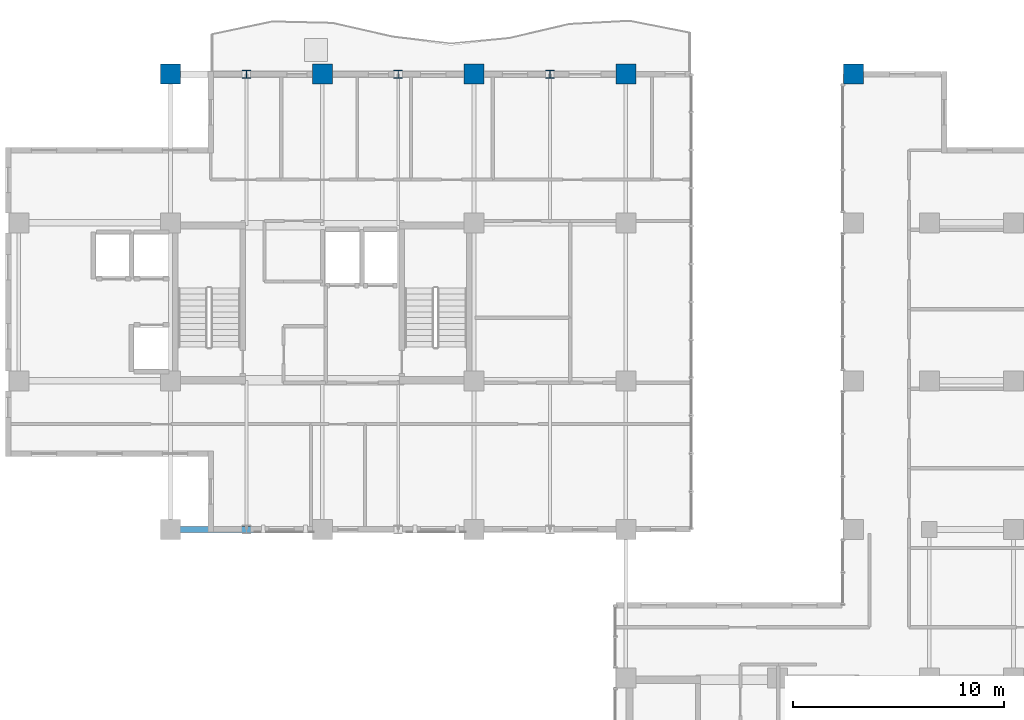
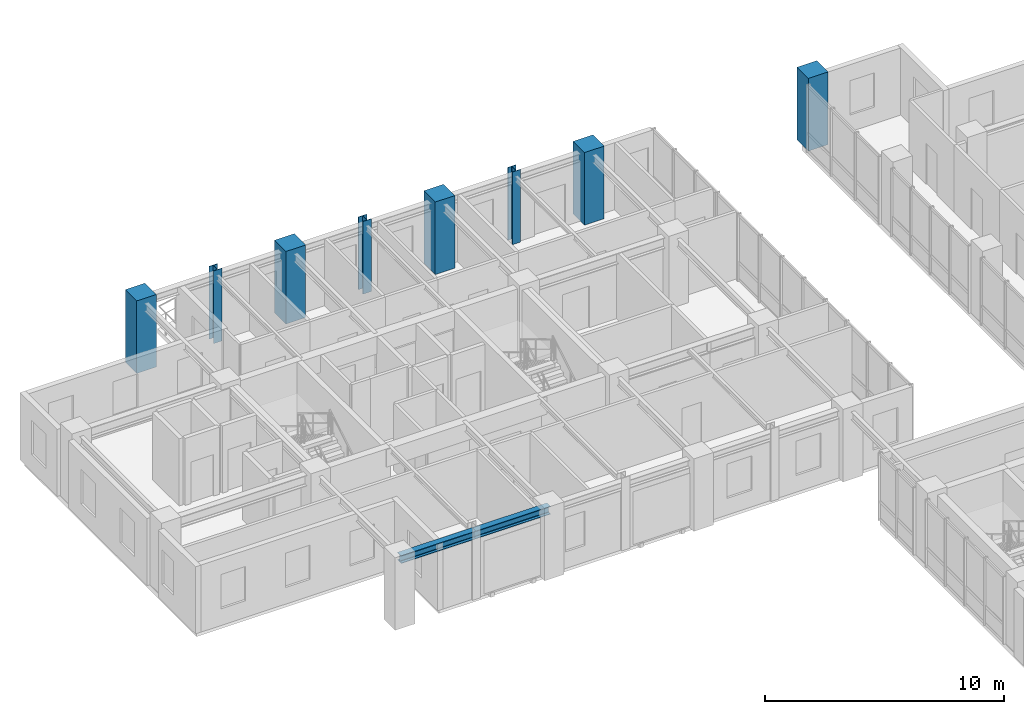
# One storey, part 3 of 24: 8 columns, 2 beams.
"""IFC4 building model written with IfcOpenShell, lengths in metres."""

from ifc_helpers import new_model, si_unit, direction, frame, origin, origin_2d, place, context, subcontext, project, spatial, rectangle, i_section, extrude, source, transform, mapped, material, material_profile, profile_set, type_object, element, save


model = new_model("IFC4")

# Units and contexts
model_context = context("Model", 3, precision=1e-05, world=origin(), true_north=direction((0.0, 1.0)))
body_context = subcontext(model_context, "Body", "Model", "MODEL_VIEW")
ifc_project = project(units=[si_unit("LENGTHUNIT", "METRE"), si_unit("AREAUNIT", "SQUARE_METRE"), si_unit("VOLUMEUNIT", "CUBIC_METRE"), si_unit("PLANEANGLEUNIT", "RADIAN"), si_unit("MASSUNIT", "GRAM", prefix="KILO")], contexts=[model_context])

# Site, building, storey
site_placement = place(None, origin())
site = spatial("IfcSite", under=ifc_project, at=site_placement, CompositionType="ELEMENT")
building_placement = place(site_placement, origin())
building = spatial("IfcBuilding", under=site, at=building_placement, Name="Kaliganga Portal Commons", CompositionType="ELEMENT")
storey_placement = place(building_placement, frame((0.0, 0.0, 242.5)))
storey = spatial("IfcBuildingStorey", under=building, at=storey_placement, Name="L62", CompositionType="ELEMENT", Elevation=242.5)

# Columns
ifc_material_1 = material(Name="Concrete C50/60", Category="concrete")
ifc_material_profile_1 = material_profile(ifc_material_1, rectangle(XDim=0.949951171875, YDim=0.949951171875, at=origin_2d()), Name="RC 950x950")
ifc_profile_set_1 = profile_set([ifc_material_profile_1], Name="Concrete C50/60")
column_type_1 = type_object("IfcColumnType", Name="COL-MEGA-Z4", PredefinedType="COLUMN", material=ifc_profile_set_1)
shared_shape_1 = source(origin(), body_context, "Body", "SweptSolid", [
    extrude(rectangle(XDim=0.949951171875, YDim=0.949951171875, at=origin_2d()), origin(), (0.0, 0.0, 1.0), 3.699951171875),
])
for number, where, z_axis, x_axis, name in (
    (1, (14.39990234375, 43.199951171875, 0.0), (0.0, 0.0, 1.0), (1.0, 0.0, 0.0), "Column MC-05 L62"),
    (2, (21.60009765625, 43.199951171875, 0.0), (0.0, 0.0, 1.0), (1.0, 0.0, 0.0), "Column MC-05 L62"),
    (3, (28.800048828125, 43.199951171875, 0.0), (0.0, 0.0, 1.0), (1.0, 0.0, 0.0), "Column MC-05 L62"),
    (4, (36.0, 43.199951171875, 0.0), (0.0, 0.0, 1.0), (1.0, 0.0, 0.0), "Column MC-05 L62"),
    (5, (46.800048828125, 43.199951171875, 0.0), (0.0, 0.0, 1.0), (1.0, 0.0, 0.0), "Column MC-05 L62"),
):
    element("IfcColumn", number, at=place(storey_placement, frame(where, z_axis=z_axis, x_axis=x_axis)), inside=storey, type_object=column_type_1, Name=name, PredefinedType="COLUMN", context=body_context, shape_type="MappedRepresentation", body=[
        mapped(shared_shape_1, transform((0.0, 0.0, 0.0), x_axis=(1.0, 0.0, 0.0), y_axis=(0.0, 1.0, 0.0), z_axis=(0.0, 0.0, 1.0), scale=1.0)),
    ])
ifc_material_2 = material(Name="Structural steel S355J2", Category="steel")
ifc_material_profile_2 = material_profile(ifc_material_2, i_section(OverallWidth=0.39892578125, OverallDepth=0.39990234375, WebThickness=0.017333984375, FlangeThickness=0.0234375, FilletRadius=0.014892578125, at=origin_2d()), Name="HD 400x287")
ifc_profile_set_2 = profile_set([ifc_material_profile_2], Name="Structural steel S355J2 wide-flange")
column_type_2 = type_object("IfcColumnType", Name="COL-TUBE-B4", PredefinedType="COLUMN", material=ifc_profile_set_2)
shared_shape_2 = source(origin(), body_context, "Body", "SweptSolid", [
    extrude(i_section(OverallWidth=0.39892578125, OverallDepth=0.39990234375, WebThickness=0.017333984375, FlangeThickness=0.0234375, FilletRadius=0.014892578125, at=origin_2d()), origin(), (0.0, 0.0, 1.0), 3.699951171875),
])
for number, where, z_axis, x_axis, name in (
    (6, (18.0, 43.199951171875, 0.0), (0.0, 0.0, 1.0), (1.0, 0.0, 0.0), "Column TC-04 L62"),
    (7, (25.199951171875, 43.199951171875, 0.0), (0.0, 0.0, 1.0), (1.0, 0.0, 0.0), "Column TC-04 L62"),
    (8, (32.39990234375, 43.199951171875, 0.0), (0.0, 0.0, 1.0), (1.0, 0.0, 0.0), "Column TC-04 L62"),
):
    element("IfcColumn", number, at=place(storey_placement, frame(where, z_axis=z_axis, x_axis=x_axis)), inside=storey, type_object=column_type_2, Name=name, PredefinedType="COLUMN", context=body_context, shape_type="MappedRepresentation", body=[
        mapped(shared_shape_2, transform((0.0, 0.0, 0.0), x_axis=(1.0, 0.0, 0.0), y_axis=(0.0, 1.0, 0.0), z_axis=(0.0, 0.0, 1.0), scale=1.0)),
    ])

# Beams
ifc_material_profile_3 = material_profile(ifc_material_2, i_section(OverallWidth=0.300048828125, OverallDepth=0.39990234375, WebThickness=0.013427734375, FlangeThickness=0.02392578125, FilletRadius=0.027099609375, at=origin_2d()), Name="HE 400 B")
ifc_profile_set_3 = profile_set([ifc_material_profile_3], Name="Structural steel S355J2 wide-flange")
beam_type = type_object("IfcBeamType", Name="BM-SPAND-400", PredefinedType="SPANDREL", material=ifc_profile_set_3)
shared_shape_3 = source(origin(), body_context, "Body", "SweptSolid", [
    extrude(i_section(OverallWidth=0.300048828125, OverallDepth=0.39990234375, WebThickness=0.013427734375, FlangeThickness=0.02392578125, FilletRadius=0.027099609375, at=origin_2d()), origin(), (0.0, 0.0, 1.0), 3.60009765625),
])
for number, where, z_axis, x_axis, name in (
    (9, (14.39990234375, 21.60009765625, 3.239990234375), (1.0, 0.0, 0.0), (0.0, 1.0, 0.0), "BM SP L62 AS 1"),
    (10, (18.0, 21.60009765625, 3.239990234375), (1.0, 0.0, 0.0), (0.0, 1.0, 0.0), "BM SP L62 AS 2"),
):
    element("IfcBeam", number, at=place(storey_placement, frame(where, z_axis=z_axis, x_axis=x_axis)), inside=storey, type_object=beam_type, Name=name, PredefinedType="SPANDREL", context=body_context, shape_type="MappedRepresentation", body=[
        mapped(shared_shape_3, transform((0.0, 0.0, 0.0), x_axis=(1.0, 0.0, 0.0), y_axis=(0.0, 1.0, 0.0), z_axis=(0.0, 0.0, 1.0), scale=1.0)),
    ])

save(model, "model.ifc")
